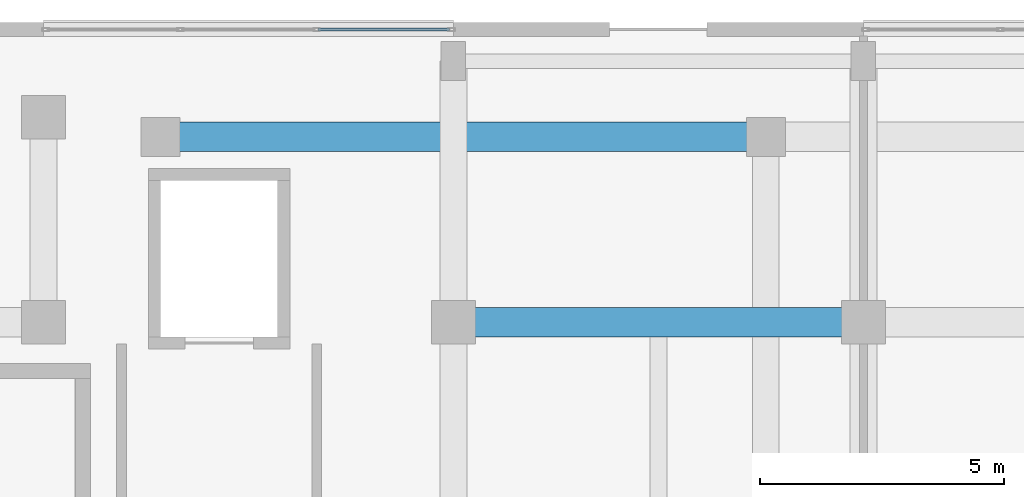
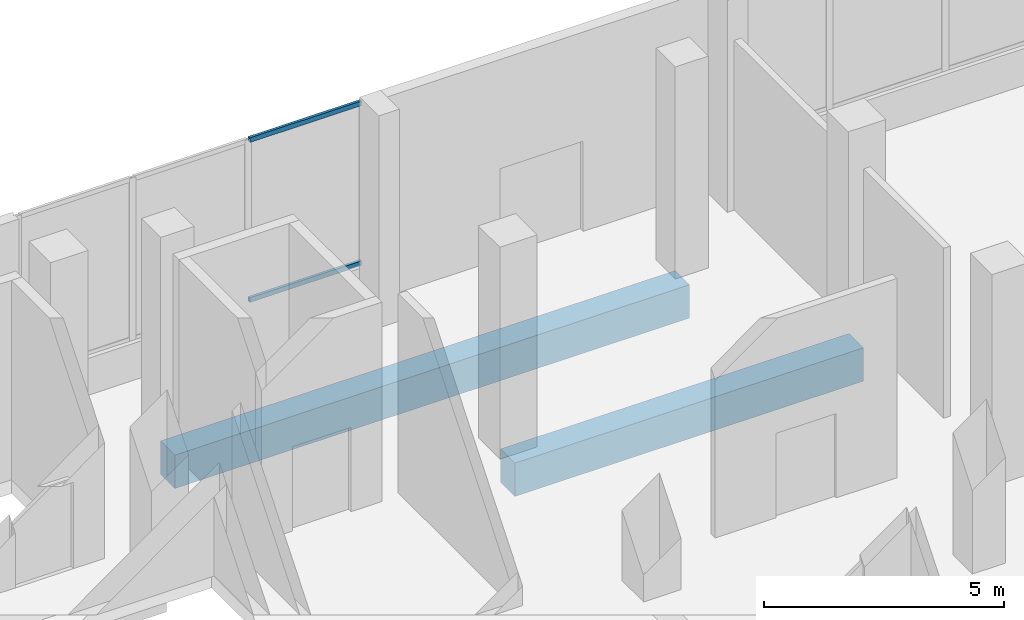
# One storey, part 80 of 158: 2 beams, 2 members, 1 element without a shape of its own.
"""IFC4 building model written with IfcOpenShell, lengths in metres."""

from ifc_helpers import new_model, si_unit, direction, frame, origin, origin_2d, place, context, subcontext, project, spatial, rectangle, hollow_rectangle, extrude, material, material_profile, profile_set, type_object, element, aggregate, save


model = new_model("IFC4")

# Units and contexts
model_context = context("Model", 3, precision=1e-05, world=origin(), true_north=direction((0.0, 1.0)))
body_context = subcontext(model_context, "Body", "Model", "MODEL_VIEW")
ifc_project = project(units=[si_unit("LENGTHUNIT", "METRE"), si_unit("AREAUNIT", "SQUARE_METRE"), si_unit("VOLUMEUNIT", "CUBIC_METRE"), si_unit("PLANEANGLEUNIT", "RADIAN"), si_unit("MASSUNIT", "GRAM", prefix="KILO")], contexts=[model_context])

# Site, building, storey
site_placement = place(None, origin())
site = spatial("IfcSite", under=ifc_project, at=site_placement, CompositionType="ELEMENT")
building_placement = place(site_placement, origin())
building = spatial("IfcBuilding", under=site, at=building_placement, Name="Selatvlak General Hospital", CompositionType="ELEMENT")
storey_placement = place(building_placement, origin())
storey = spatial("IfcBuildingStorey", under=building, at=storey_placement, Name="L00", CompositionType="ELEMENT", Elevation=0.0)

# Beams
ifc_material_1 = material(Name="Concrete C40/50", Category="concrete")
ifc_material_profile_1 = material_profile(ifc_material_1, rectangle(XDim=0.60009765625, YDim=0.85009765625, at=origin_2d()), Name="RC-BM 600x850")
ifc_profile_set_1 = profile_set([ifc_material_profile_1], Name="Concrete C40/50")
beam_type = type_object("IfcBeamType", Name="BM-G01", PredefinedType="BEAM", material=ifc_profile_set_1)
beam_1_placement = place(storey_placement, frame((64.800048828125, 114.0, -0.77490234375), z_axis=(1.0, 0.0, 0.0), x_axis=(0.0, 1.0, 0.0)))
element("IfcBeam", 1, at=beam_1_placement, inside=storey, type_object=beam_type, Name="Beam BMR-L00-0137", PredefinedType="BEAM", context=body_context, shape_type="SweptSolid", body=[
    extrude(rectangle(XDim=0.60009765625, YDim=0.85009765625, at=origin_2d()), origin(), (0.0, 0.0, 1.0), 8.39990234375),
])
beam_2_placement = place(storey_placement, frame((58.800048828125, 117.800048828125, -0.77490234375), z_axis=(1.0, 0.0, 0.0), x_axis=(0.0, 1.0, 0.0)))
element("IfcBeam", 2, at=beam_2_placement, inside=storey, type_object=beam_type, Name="Beam BMR-L00-0146", PredefinedType="BEAM", context=body_context, shape_type="SweptSolid", body=[
    extrude(rectangle(XDim=0.60009765625, YDim=0.85009765625, at=origin_2d()), origin(), (0.0, 0.0, 1.0), 12.39990234375),
])

# Curtain wall, members
ifc_material_2 = material(Name="Solar-control Low-E double glazing", Category="glass")
curtain_wall_type = type_object("IfcCurtainWallType", Name="CW-CW-01", PredefinedType="USERDEFINED", material=ifc_material_2)
curtain_wall_placement = place(storey_placement, origin())
curtain_wall = element("IfcCurtainWall", 3, at=curtain_wall_placement, inside=storey, type_object=curtain_wall_type, Name="Glazed facade curtain wall CW-L00-0005", ObjectType="UNITISED CURTAIN WALL", PredefinedType="USERDEFINED")
ifc_material_3 = material(Name="Dark anodised aluminium mullion", Category="aluminium")
ifc_material_profile_2 = material_profile(ifc_material_3, hollow_rectangle(XDim=0.06494140625, YDim=0.1201171875, WallThickness=0.00390625, at=origin_2d()), Name="AL-TRN 65x120x4")
ifc_profile_set_2 = profile_set([ifc_material_profile_2], Name="Dark anodised aluminium mullion")
member_type = type_object("IfcMemberType", Name="CWT-01", PredefinedType="USERDEFINED", material=ifc_profile_set_2)
member_1_placement = place(storey_placement, frame((62.027587890625, 119.9990234375, 0.972412109375), z_axis=(1.0, 0.0, 0.0), x_axis=(0.0, 1.0, 0.0)))
member_1 = element("IfcMember", 4, at=member_1_placement, type_object=member_type, Name="CW-01 transom 3.1", ObjectType="TRANSOM", PredefinedType="USERDEFINED", context=body_context, shape_type="SweptSolid", body=[
    extrude(hollow_rectangle(XDim=0.06494140625, YDim=0.1201171875, WallThickness=0.00390625, at=origin_2d()), origin(), (0.0, 0.0, 1.0), 2.6923828125),
])
member_2_placement = place(storey_placement, frame((62.027587890625, 119.9990234375, 5.047607421875), z_axis=(1.0, 0.0, 0.0), x_axis=(0.0, 1.0, 0.0)))
member_2 = element("IfcMember", 5, at=member_2_placement, type_object=member_type, Name="CW-01 transom 3.2", ObjectType="TRANSOM", PredefinedType="USERDEFINED", context=body_context, shape_type="SweptSolid", body=[
    extrude(hollow_rectangle(XDim=0.06494140625, YDim=0.1201171875, WallThickness=0.00390625, at=origin_2d()), origin(), (0.0, 0.0, 1.0), 2.6923828125),
])
aggregate(curtain_wall, [member_1, member_2])

save(model, "model.ifc")
